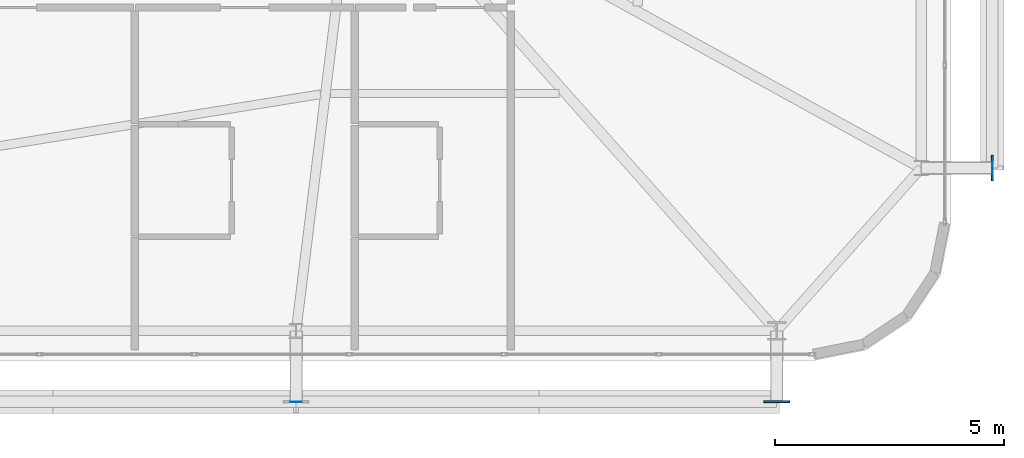
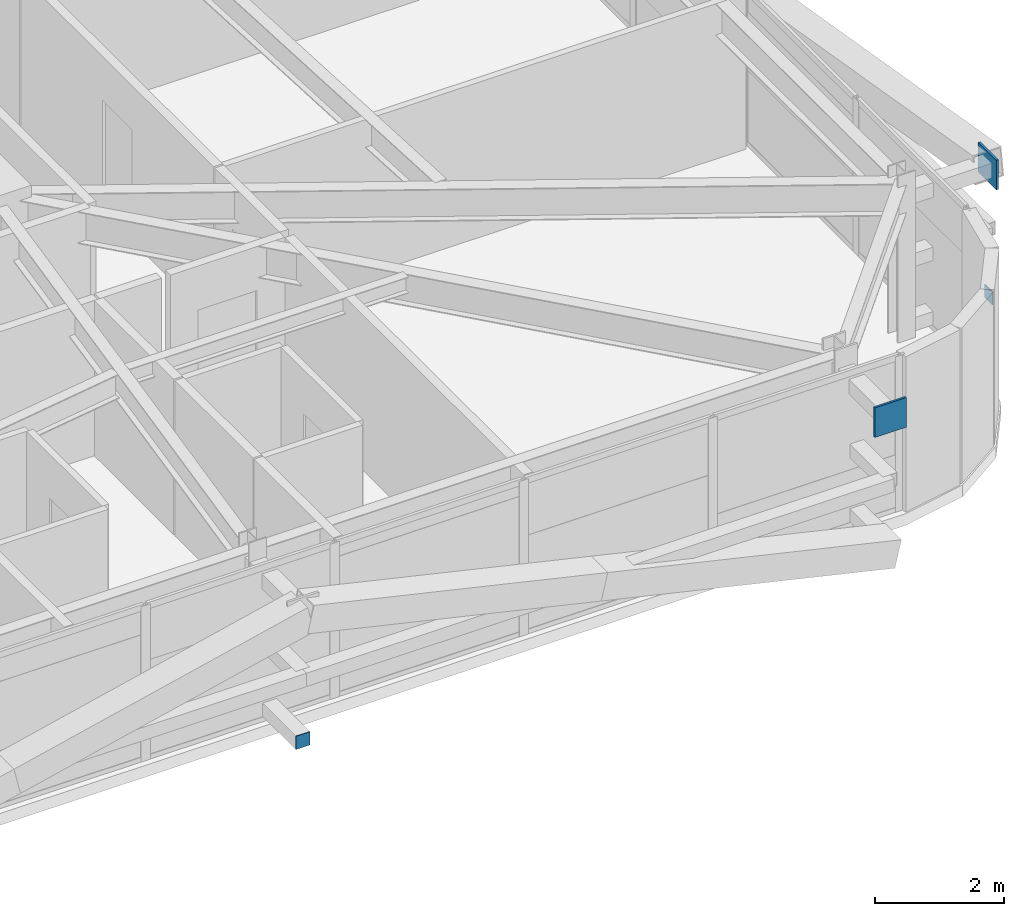
# One storey, part 47 of 59: 4 plates.
"""IFC4 building model written with IfcOpenShell, lengths in metres."""

from ifc_helpers import new_model, si_unit, direction, frame, origin, origin_2d, place, context, subcontext, project, spatial, rectangle, extrude, source, transform, mapped, material, layer, layer_set, type_object, element, save


model = new_model("IFC4")

# Units and contexts
model_context = context("Model", 3, precision=1e-05, world=origin(), true_north=direction((0.0, 1.0)))
body_context = subcontext(model_context, "Body", "Model", "MODEL_VIEW")
ifc_project = project(units=[si_unit("LENGTHUNIT", "METRE"), si_unit("AREAUNIT", "SQUARE_METRE"), si_unit("VOLUMEUNIT", "CUBIC_METRE"), si_unit("PLANEANGLEUNIT", "RADIAN"), si_unit("MASSUNIT", "GRAM", prefix="KILO")], contexts=[model_context])

# Site, building, storey
site_placement = place(None, origin())
site = spatial("IfcSite", under=ifc_project, at=site_placement, CompositionType="ELEMENT")
building_placement = place(site_placement, origin())
building = spatial("IfcBuilding", under=site, at=building_placement, Name="Taldren Reach Tower", CompositionType="ELEMENT")
storey_placement = place(building_placement, frame((0.0, 0.0, 26.25)))
storey = spatial("IfcBuildingStorey", under=building, at=storey_placement, Name="L07", CompositionType="ELEMENT", Elevation=26.25)

# Plates
ifc_material_1 = material(Name="Steel Gr 450 (C450L0)", Category="steel")
ifc_layer_1 = layer(ifc_material_1, 0.0400390625)
ifc_layer_set_1 = layer_set([ifc_layer_1], Name="Steel Gr 450 (C450L0)")
plate_type_1 = type_object("IfcPlateType", Name="PL-GUSSET-40", PredefinedType="SHEET", material=ifc_layer_set_1)
shared_shape_1 = source(origin(), body_context, "Body", "SweptSolid", [
    extrude(rectangle(XDim=0.56005859375, YDim=0.0400390625, at=origin_2d()), origin(), (0.0, 0.0, 1.0), 0.56005859375),
])
for number, where, z_axis, x_axis, name in (
    (1, (61.199951171875, 0.60009765625, 2.369873046875), (0.0, 0.0, 1.0), (1.0, 0.0, 0.0), "Exoskeleton star-node gusset plate B1-S6 L07"),
    (2, (65.89990234375, 5.699951171875, 2.369873046875), (0.0, 0.0, 1.0), (0.0, 1.0, 0.0), "Exoskeleton star-node gusset plate B1-E1 L07"),
):
    element("IfcPlate", number, at=place(storey_placement, frame(where, z_axis=z_axis, x_axis=x_axis)), inside=storey, type_object=plate_type_1, Name=name, PredefinedType="SHEET", context=body_context, shape_type="MappedRepresentation", body=[
        mapped(shared_shape_1, transform((0.0, 0.0, 0.0), scale=1.0)),
    ])
ifc_material_2 = material(Name="Steel Gr 350 (C350L0)", Category="steel")
ifc_layer_2 = layer(ifc_material_2, 0.011962890625)
ifc_layer_set_2 = layer_set([ifc_layer_2], Name="Steel Gr 350 (C350L0)")
plate_type_2 = type_object("IfcPlateType", Name="PL-CAP-250", PredefinedType="SHEET", material=ifc_layer_set_2)
shared_shape_2 = source(origin(), body_context, "Body", "SweptSolid", [
    extrude(rectangle(XDim=0.25, YDim=0.011962890625, at=origin_2d()), origin(), (0.0, 0.0, 1.0), 0.25),
])
plate_1_placement = place(storey_placement, frame((50.719970703125, 0.593994140625, 0.094970703125), z_axis=(0.0, 0.0, 1.0), x_axis=(1.0, 0.0, 0.0)))
element("IfcPlate", 3, at=plate_1_placement, inside=storey, type_object=plate_type_2, Name="Tie strut end cap plate B1-S5 L07", PredefinedType="SHEET", context=body_context, shape_type="MappedRepresentation", body=[
    mapped(shared_shape_2, transform((0.0, 0.0, 0.0), scale=1.0)),
])
shared_shape_3 = source(origin(), body_context, "Body", "SweptSolid", [
    extrude(rectangle(XDim=0.011962890625, YDim=0.25, at=origin_2d()), origin(), (0.0, 0.0, 1.0), 0.25),
])
plate_2_placement = place(storey_placement, frame((65.906005859375, 5.699951171875, 0.094970703125), z_axis=(0.0, 0.0, 1.0), x_axis=(1.0, 0.0, 0.0)))
element("IfcPlate", 4, at=plate_2_placement, inside=storey, type_object=plate_type_2, Name="Tie strut end cap plate B1-E1 L07", PredefinedType="SHEET", context=body_context, shape_type="MappedRepresentation", body=[
    mapped(shared_shape_3, transform((0.0, 0.0, 0.0), scale=1.0)),
])

save(model, "model.ifc")
